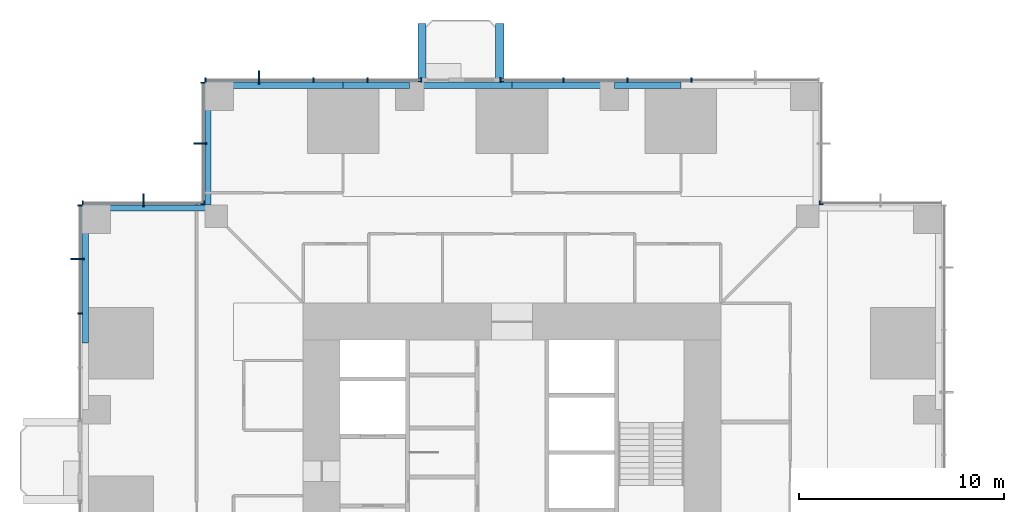
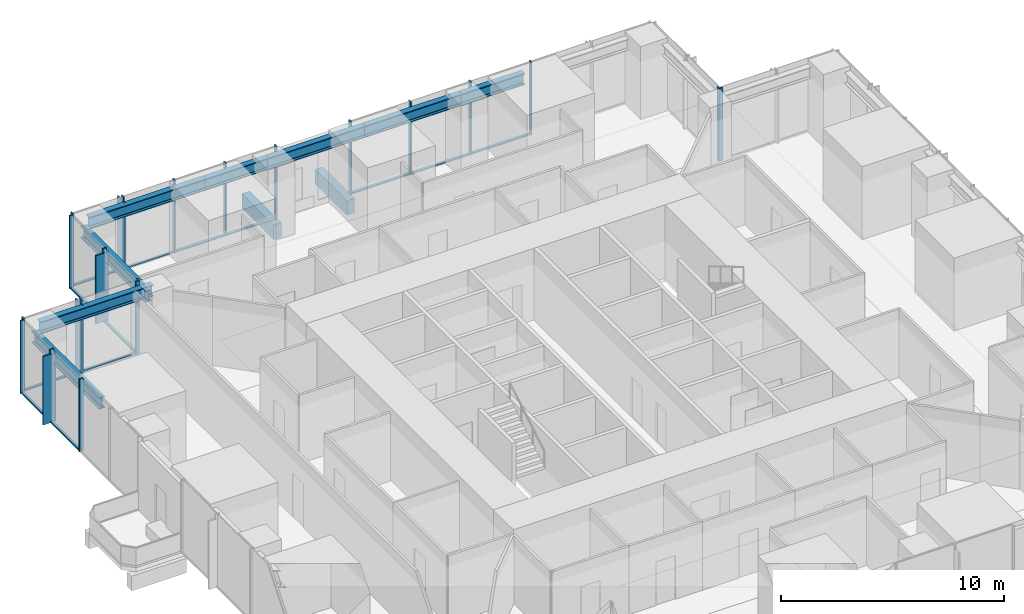
# One storey, part 5 of 15: 37 members, 10 beams, 7 elements without a shape of their own.
"""IFC4 building model written with IfcOpenShell, lengths in metres."""

from ifc_helpers import new_model, si_unit, direction, frame, origin, origin_2d, place, context, subcontext, project, spatial, rectangle, i_section, extrude, material, material_profile, profile_set, type_object, element, aggregate, save


model = new_model("IFC4")

# Units and contexts
model_context = context("Model", 3, precision=1e-05, world=origin(), true_north=direction((0.0, 1.0)))
body_context = subcontext(model_context, "Body", "Model", "MODEL_VIEW")
ifc_project = project(units=[si_unit("LENGTHUNIT", "METRE"), si_unit("AREAUNIT", "SQUARE_METRE"), si_unit("VOLUMEUNIT", "CUBIC_METRE"), si_unit("PLANEANGLEUNIT", "RADIAN"), si_unit("MASSUNIT", "GRAM", prefix="KILO")], contexts=[model_context])

# Site, building, storey
site_placement = place(None, origin())
site = spatial("IfcSite", under=ifc_project, at=site_placement, CompositionType="ELEMENT")
building_placement = place(site_placement, origin())
building = spatial("IfcBuilding", under=site, at=building_placement, Name="Svetlomir Tower", CompositionType="ELEMENT")
storey_placement = place(building_placement, frame((0.0, 0.0, 42.5)))
storey = spatial("IfcBuildingStorey", under=building, at=storey_placement, Name="L09", CompositionType="ELEMENT", Elevation=42.5)

# Beams
ifc_material_1 = material(Name="Concrete C60/75", Category="concrete")
ifc_material_profile_1 = material_profile(ifc_material_1, rectangle(XDim=0.39990234375, YDim=0.800048828125, at=origin_2d()), Name="RC 400x800")
ifc_profile_set_1 = profile_set([ifc_material_profile_1], Name="Concrete C60/75")
beam_type_1 = type_object("IfcBeamType", Name="BALCONY RIB RC 400x800", PredefinedType="BEAM", material=ifc_profile_set_1)
for number, where, z_axis, x_axis, name in (
    (1, (16.60009765625, 42.0, -0.64990234375), (0.0, 1.0, 0.0), (-1.0, 0.0, 0.0), "Balcony rib N 1 L09"),
    (2, (20.39990234375, 42.0, -0.64990234375), (0.0, 1.0, 0.0), (-1.0, 0.0, 0.0), "Balcony rib N 2 L09"),
):
    element("IfcBeam", number, at=place(storey_placement, frame(where, z_axis=z_axis, x_axis=x_axis)), inside=storey, type_object=beam_type_1, Name=name, PredefinedType="BEAM", context=body_context, shape_type="SweptSolid", body=[
        extrude(rectangle(XDim=0.39990234375, YDim=0.800048828125, at=origin_2d()), origin(), (0.0, 0.0, 1.0), 2.85009765625),
    ])

# Curtain wall, member
ifc_material_2 = material(Name="Bronze anodised aluminium curtain wall", Category="aluminium")
curtain_wall_type = type_object("IfcCurtainWallType", Name="CURTAIN WALL CW1 TOWER OFFICE", PredefinedType="NOTDEFINED", material=ifc_material_2)
curtain_wall_1_placement = place(storey_placement, origin())
curtain_wall_1 = element("IfcCurtainWall", 3, at=curtain_wall_1_placement, inside=storey, type_object=curtain_wall_type, Name="Curtain wall CW1 L09", PredefinedType="NOTDEFINED")
ifc_material_3 = material(Name="Bronze anodised aluminium", Category="aluminium")
ifc_material_profile_2 = material_profile(ifc_material_3, rectangle(XDim=0.080078125, YDim=0.64990234375, at=origin_2d()), Name="FIN 80x650")
ifc_profile_set_2 = profile_set([ifc_material_profile_2], Name="Bronze anodised aluminium 6063-T6")
member_type_1 = type_object("IfcMemberType", Name="BRONZE FIN 80x650", PredefinedType="USERDEFINED", material=ifc_profile_set_2)
member_1_placement = place(storey_placement, frame((8.64990234375, 42.22509765625, 0.0), z_axis=(0.0, 0.0, 1.0), x_axis=(1.0, 0.0, 0.0)))
member_1 = element("IfcMember", 4, at=member_1_placement, type_object=member_type_1, Name="Bronze fin L09", ObjectType="FIN", PredefinedType="USERDEFINED", context=body_context, shape_type="SweptSolid", body=[
    extrude(rectangle(XDim=0.080078125, YDim=0.64990234375, at=origin_2d()), origin(), (0.0, 0.0, 1.0), 3.75),
])

curtain_wall_2_placement = place(storey_placement, origin())
curtain_wall_2 = element("IfcCurtainWall", 5, at=curtain_wall_2_placement, inside=storey, type_object=curtain_wall_type, Name="Curtain wall CW1 L09", PredefinedType="NOTDEFINED")
member_2_placement = place(storey_placement, frame((5.77490234375, 39.0, 0.0), z_axis=(0.0, 0.0, 1.0), x_axis=(0.0, 1.0, 0.0)))
member_2 = element("IfcMember", 6, at=member_2_placement, type_object=member_type_1, Name="Bronze fin L09", ObjectType="FIN", PredefinedType="USERDEFINED", context=body_context, shape_type="SweptSolid", body=[
    extrude(rectangle(XDim=0.080078125, YDim=0.64990234375, at=origin_2d()), origin(), (0.0, 0.0, 1.0), 3.75),
])

curtain_wall_3_placement = place(storey_placement, origin())
curtain_wall_3 = element("IfcCurtainWall", 7, at=curtain_wall_3_placement, inside=storey, type_object=curtain_wall_type, Name="Curtain wall CW1 L09", PredefinedType="NOTDEFINED")
member_3_placement = place(storey_placement, frame((3.0, 36.22509765625, 0.0), z_axis=(0.0, 0.0, 1.0), x_axis=(1.0, 0.0, 0.0)))
member_3 = element("IfcMember", 8, at=member_3_placement, type_object=member_type_1, Name="Bronze fin L09", ObjectType="FIN", PredefinedType="USERDEFINED", context=body_context, shape_type="SweptSolid", body=[
    extrude(rectangle(XDim=0.080078125, YDim=0.64990234375, at=origin_2d()), origin(), (0.0, 0.0, 1.0), 3.75),
])

curtain_wall_4_placement = place(storey_placement, origin())
curtain_wall_4 = element("IfcCurtainWall", 9, at=curtain_wall_4_placement, inside=storey, type_object=curtain_wall_type, Name="Curtain wall CW1 L09", PredefinedType="NOTDEFINED")
member_4_placement = place(storey_placement, frame((-0.22509765625, 33.35009765625, 0.0), z_axis=(0.0, 0.0, 1.0), x_axis=(0.0, 1.0, 0.0)))
member_4 = element("IfcMember", 10, at=member_4_placement, type_object=member_type_1, Name="Bronze fin L09", ObjectType="FIN", PredefinedType="USERDEFINED", context=body_context, shape_type="SweptSolid", body=[
    extrude(rectangle(XDim=0.080078125, YDim=0.64990234375, at=origin_2d()), origin(), (0.0, 0.0, 1.0), 3.75),
])

curtain_wall_5_placement = place(storey_placement, origin())
curtain_wall_5 = element("IfcCurtainWall", 11, at=curtain_wall_5_placement, inside=storey, type_object=curtain_wall_type, Name="Curtain wall CW1 L09", PredefinedType="NOTDEFINED")
ifc_material_4 = material(Name="Bronze anodised aluminium", Category="aluminium")
ifc_material_profile_3 = material_profile(ifc_material_4, rectangle(XDim=0.06494140625, YDim=0.199951171875, at=origin_2d()), Name="AL 65x200")
ifc_profile_set_3 = profile_set([ifc_material_profile_3], Name="Bronze anodised aluminium 6063-T6")
member_type_2 = type_object("IfcMemberType", Name="CW1 MULLION 65x200", PredefinedType="MULLION", material=ifc_profile_set_3)
member_5_placement = place(storey_placement, frame((36.032470703125, 36.10009765625, 0.0), z_axis=(0.0, 0.0, 1.0), x_axis=(-1.0, 0.0, 0.0)))
member_5 = element("IfcMember", 12, at=member_5_placement, type_object=member_type_2, Name="CW1 mullion 3", PredefinedType="MULLION", context=body_context, shape_type="SweptSolid", body=[
    extrude(rectangle(XDim=0.06494140625, YDim=0.199951171875, at=origin_2d()), origin(), (0.0, 0.0, 1.0), 4.0),
])
aggregate(curtain_wall_5, [member_5])

curtain_wall_6_placement = place(storey_placement, origin())
curtain_wall_6 = element("IfcCurtainWall", 13, at=curtain_wall_6_placement, inside=storey, type_object=curtain_wall_type, Name="Curtain wall CW1 L09", PredefinedType="NOTDEFINED")
member_6_placement = place(storey_placement, frame((36.10009765625, 36.032470703125, 0.0), z_axis=(0.0, 0.0, 1.0), x_axis=(0.0, 1.0, 0.0)))
member_6 = element("IfcMember", 14, at=member_6_placement, type_object=member_type_2, Name="CW1 mullion 1", PredefinedType="MULLION", context=body_context, shape_type="SweptSolid", body=[
    extrude(rectangle(XDim=0.06494140625, YDim=0.199951171875, at=origin_2d()), origin(), (0.0, 0.0, 1.0), 4.0),
])
aggregate(curtain_wall_6, [member_6])

# Curtain wall, members
curtain_wall_7_placement = place(storey_placement, origin())
curtain_wall_7 = element("IfcCurtainWall", 15, at=curtain_wall_7_placement, inside=storey, type_object=curtain_wall_type, Name="Curtain wall CW1 L09", PredefinedType="NOTDEFINED")
member_7_placement = place(storey_placement, frame((29.760009765625, 42.10009765625, 0.0), z_axis=(0.0, 0.0, 1.0), x_axis=(-1.0, 0.0, 0.0)))
member_7 = element("IfcMember", 16, at=member_7_placement, type_object=member_type_2, Name="CW1 mullion 3", PredefinedType="MULLION", context=body_context, shape_type="SweptSolid", body=[
    extrude(rectangle(XDim=0.06494140625, YDim=0.199951171875, at=origin_2d()), origin(), (0.0, 0.0, 1.0), 4.0),
])
member_8_placement = place(storey_placement, frame((26.639892578125, 42.10009765625, 0.0), z_axis=(0.0, 0.0, 1.0), x_axis=(-1.0, 0.0, 0.0)))
member_8 = element("IfcMember", 17, at=member_8_placement, type_object=member_type_2, Name="CW1 mullion 4", PredefinedType="MULLION", context=body_context, shape_type="SweptSolid", body=[
    extrude(rectangle(XDim=0.06494140625, YDim=0.199951171875, at=origin_2d()), origin(), (0.0, 0.0, 1.0), 4.0),
])
member_9_placement = place(storey_placement, frame((23.52001953125, 42.10009765625, 0.0), z_axis=(0.0, 0.0, 1.0), x_axis=(-1.0, 0.0, 0.0)))
member_9 = element("IfcMember", 18, at=member_9_placement, type_object=member_type_2, Name="CW1 mullion 5", PredefinedType="MULLION", context=body_context, shape_type="SweptSolid", body=[
    extrude(rectangle(XDim=0.06494140625, YDim=0.199951171875, at=origin_2d()), origin(), (0.0, 0.0, 1.0), 4.0),
])
member_10_placement = place(storey_placement, frame((20.4326171875, 42.10009765625, 0.0), z_axis=(0.0, 0.0, 1.0), x_axis=(-1.0, 0.0, 0.0)))
member_10 = element("IfcMember", 19, at=member_10_placement, type_object=member_type_2, Name="CW1 mullion 6", PredefinedType="MULLION", context=body_context, shape_type="SweptSolid", body=[
    extrude(rectangle(XDim=0.06494140625, YDim=0.199951171875, at=origin_2d()), origin(), (0.0, 0.0, 1.0), 4.0),
])

# Member
member_11_placement = place(storey_placement, frame((16.5673828125, 42.10009765625, 0.0), z_axis=(0.0, 0.0, 1.0), x_axis=(-1.0, 0.0, 0.0)))
member_11 = element("IfcMember", 20, at=member_11_placement, type_object=member_type_2, Name="CW1 mullion 1", PredefinedType="MULLION", context=body_context, shape_type="SweptSolid", body=[
    extrude(rectangle(XDim=0.06494140625, YDim=0.199951171875, at=origin_2d()), origin(), (0.0, 0.0, 1.0), 4.0),
])

member_12_placement = place(storey_placement, frame((13.949951171875, 42.10009765625, 0.0), z_axis=(0.0, 0.0, 1.0), x_axis=(-1.0, 0.0, 0.0)))
member_12 = element("IfcMember", 21, at=member_12_placement, type_object=member_type_2, Name="CW1 mullion 2", PredefinedType="MULLION", context=body_context, shape_type="SweptSolid", body=[
    extrude(rectangle(XDim=0.06494140625, YDim=0.199951171875, at=origin_2d()), origin(), (0.0, 0.0, 1.0), 4.0),
])

member_13_placement = place(storey_placement, frame((11.300048828125, 42.10009765625, 0.0), z_axis=(0.0, 0.0, 1.0), x_axis=(-1.0, 0.0, 0.0)))
member_13 = element("IfcMember", 22, at=member_13_placement, type_object=member_type_2, Name="CW1 mullion 3", PredefinedType="MULLION", context=body_context, shape_type="SweptSolid", body=[
    extrude(rectangle(XDim=0.06494140625, YDim=0.199951171875, at=origin_2d()), origin(), (0.0, 0.0, 1.0), 4.0),
])

member_14_placement = place(storey_placement, frame((8.64990234375, 42.10009765625, 0.0), z_axis=(0.0, 0.0, 1.0), x_axis=(-1.0, 0.0, 0.0)))
member_14 = element("IfcMember", 23, at=member_14_placement, type_object=member_type_2, Name="CW1 mullion 4", PredefinedType="MULLION", context=body_context, shape_type="SweptSolid", body=[
    extrude(rectangle(XDim=0.06494140625, YDim=0.199951171875, at=origin_2d()), origin(), (0.0, 0.0, 1.0), 4.0),
])

member_15_placement = place(storey_placement, frame((6.032470703125, 42.10009765625, 0.0), z_axis=(0.0, 0.0, 1.0), x_axis=(-1.0, 0.0, 0.0)))
member_15 = element("IfcMember", 24, at=member_15_placement, type_object=member_type_2, Name="CW1 mullion 5", PredefinedType="MULLION", context=body_context, shape_type="SweptSolid", body=[
    extrude(rectangle(XDim=0.06494140625, YDim=0.199951171875, at=origin_2d()), origin(), (0.0, 0.0, 1.0), 4.0),
])

member_16_placement = place(storey_placement, frame((5.89990234375, 41.967529296875, 0.0), z_axis=(0.0, 0.0, 1.0), x_axis=(0.0, -1.0, 0.0)))
member_16 = element("IfcMember", 25, at=member_16_placement, type_object=member_type_2, Name="CW1 mullion 1", PredefinedType="MULLION", context=body_context, shape_type="SweptSolid", body=[
    extrude(rectangle(XDim=0.06494140625, YDim=0.199951171875, at=origin_2d()), origin(), (0.0, 0.0, 1.0), 4.0),
])

member_17_placement = place(storey_placement, frame((5.89990234375, 39.0, 0.0), z_axis=(0.0, 0.0, 1.0), x_axis=(0.0, -1.0, 0.0)))
member_17 = element("IfcMember", 26, at=member_17_placement, type_object=member_type_2, Name="CW1 mullion 2", PredefinedType="MULLION", context=body_context, shape_type="SweptSolid", body=[
    extrude(rectangle(XDim=0.06494140625, YDim=0.199951171875, at=origin_2d()), origin(), (0.0, 0.0, 1.0), 4.0),
])

member_18_placement = place(storey_placement, frame((5.89990234375, 36.032470703125, 0.0), z_axis=(0.0, 0.0, 1.0), x_axis=(0.0, -1.0, 0.0)))
member_18 = element("IfcMember", 27, at=member_18_placement, type_object=member_type_2, Name="CW1 mullion 3", PredefinedType="MULLION", context=body_context, shape_type="SweptSolid", body=[
    extrude(rectangle(XDim=0.06494140625, YDim=0.199951171875, at=origin_2d()), origin(), (0.0, 0.0, 1.0), 4.0),
])

member_19_placement = place(storey_placement, frame((5.967529296875, 36.10009765625, 0.0), z_axis=(0.0, 0.0, 1.0), x_axis=(-1.0, 0.0, 0.0)))
member_19 = element("IfcMember", 28, at=member_19_placement, type_object=member_type_2, Name="CW1 mullion 1", PredefinedType="MULLION", context=body_context, shape_type="SweptSolid", body=[
    extrude(rectangle(XDim=0.06494140625, YDim=0.199951171875, at=origin_2d()), origin(), (0.0, 0.0, 1.0), 4.0),
])

member_20_placement = place(storey_placement, frame((3.0, 36.10009765625, 0.0), z_axis=(0.0, 0.0, 1.0), x_axis=(-1.0, 0.0, 0.0)))
member_20 = element("IfcMember", 29, at=member_20_placement, type_object=member_type_2, Name="CW1 mullion 2", PredefinedType="MULLION", context=body_context, shape_type="SweptSolid", body=[
    extrude(rectangle(XDim=0.06494140625, YDim=0.199951171875, at=origin_2d()), origin(), (0.0, 0.0, 1.0), 4.0),
])

member_21_placement = place(storey_placement, frame((0.032470703125, 36.10009765625, 0.0), z_axis=(0.0, 0.0, 1.0), x_axis=(-1.0, 0.0, 0.0)))
member_21 = element("IfcMember", 30, at=member_21_placement, type_object=member_type_2, Name="CW1 mullion 3", PredefinedType="MULLION", context=body_context, shape_type="SweptSolid", body=[
    extrude(rectangle(XDim=0.06494140625, YDim=0.199951171875, at=origin_2d()), origin(), (0.0, 0.0, 1.0), 4.0),
])

member_22_placement = place(storey_placement, frame((-0.10009765625, 35.967529296875, 0.0), z_axis=(0.0, 0.0, 1.0), x_axis=(0.0, -1.0, 0.0)))
member_22 = element("IfcMember", 31, at=member_22_placement, type_object=member_type_2, Name="CW1 mullion 1", PredefinedType="MULLION", context=body_context, shape_type="SweptSolid", body=[
    extrude(rectangle(XDim=0.06494140625, YDim=0.199951171875, at=origin_2d()), origin(), (0.0, 0.0, 1.0), 4.0),
])

member_23_placement = place(storey_placement, frame((-0.10009765625, 33.35009765625, 0.0), z_axis=(0.0, 0.0, 1.0), x_axis=(0.0, -1.0, 0.0)))
member_23 = element("IfcMember", 32, at=member_23_placement, type_object=member_type_2, Name="CW1 mullion 2", PredefinedType="MULLION", context=body_context, shape_type="SweptSolid", body=[
    extrude(rectangle(XDim=0.06494140625, YDim=0.199951171875, at=origin_2d()), origin(), (0.0, 0.0, 1.0), 4.0),
])

member_24_placement = place(storey_placement, frame((-0.10009765625, 30.699951171875, 0.0), z_axis=(0.0, 0.0, 1.0), x_axis=(0.0, -1.0, 0.0)))
member_24 = element("IfcMember", 33, at=member_24_placement, type_object=member_type_2, Name="CW1 mullion 3", PredefinedType="MULLION", context=body_context, shape_type="SweptSolid", body=[
    extrude(rectangle(XDim=0.06494140625, YDim=0.199951171875, at=origin_2d()), origin(), (0.0, 0.0, 1.0), 4.0),
])

ifc_material_5 = material(Name="Bronze anodised aluminium", Category="aluminium")
ifc_material_profile_4 = material_profile(ifc_material_5, rectangle(XDim=0.139892578125, YDim=0.06494140625, at=origin_2d()), Name="AL 140x65")
ifc_profile_set_4 = profile_set([ifc_material_profile_4], Name="Bronze anodised aluminium 6063-T6")
member_type_3 = type_object("IfcMemberType", Name="CW1 TRANSOM 65x140", PredefinedType="USERDEFINED", material=ifc_profile_set_4)
member_25_placement = place(storey_placement, frame((29.7275390625, 42.10009765625, 0.032470703125), z_axis=(-1.0, 0.0, 0.0), x_axis=(0.0, -1.0, 0.0)))
member_25 = element("IfcMember", 34, at=member_25_placement, type_object=member_type_3, Name="CW1 transom 3.1", ObjectType="TRANSOM", PredefinedType="USERDEFINED", context=body_context, shape_type="SweptSolid", body=[
    extrude(rectangle(XDim=0.139892578125, YDim=0.06494140625, at=origin_2d()), origin(), (0.0, 0.0, 1.0), 3.054931640625),
])

member_26_placement = place(storey_placement, frame((26.607421875, 42.10009765625, 0.032470703125), z_axis=(-1.0, 0.0, 0.0), x_axis=(0.0, -1.0, 0.0)))
member_26 = element("IfcMember", 35, at=member_26_placement, type_object=member_type_3, Name="CW1 transom 4.1", ObjectType="TRANSOM", PredefinedType="USERDEFINED", context=body_context, shape_type="SweptSolid", body=[
    extrude(rectangle(XDim=0.139892578125, YDim=0.06494140625, at=origin_2d()), origin(), (0.0, 0.0, 1.0), 3.054931640625),
])

member_27_placement = place(storey_placement, frame((23.487548828125, 42.10009765625, 0.032470703125), z_axis=(-1.0, 0.0, 0.0), x_axis=(0.0, -1.0, 0.0)))
member_27 = element("IfcMember", 36, at=member_27_placement, type_object=member_type_3, Name="CW1 transom 5.1", ObjectType="TRANSOM", PredefinedType="USERDEFINED", context=body_context, shape_type="SweptSolid", body=[
    extrude(rectangle(XDim=0.139892578125, YDim=0.06494140625, at=origin_2d()), origin(), (0.0, 0.0, 1.0), 3.0224609375),
])

aggregate(curtain_wall_7, [member_7, member_8, member_9, member_10, member_25, member_26, member_27])

member_28_placement = place(storey_placement, frame((16.534912109375, 42.10009765625, 0.032470703125), z_axis=(-1.0, 0.0, 0.0), x_axis=(0.0, -1.0, 0.0)))
member_28 = element("IfcMember", 37, at=member_28_placement, type_object=member_type_3, Name="CW1 transom 1.1", ObjectType="TRANSOM", PredefinedType="USERDEFINED", context=body_context, shape_type="SweptSolid", body=[
    extrude(rectangle(XDim=0.139892578125, YDim=0.06494140625, at=origin_2d()), origin(), (0.0, 0.0, 1.0), 2.552490234375),
])

member_29_placement = place(storey_placement, frame((13.91748046875, 42.10009765625, 0.032470703125), z_axis=(-1.0, 0.0, 0.0), x_axis=(0.0, -1.0, 0.0)))
member_29 = element("IfcMember", 38, at=member_29_placement, type_object=member_type_3, Name="CW1 transom 2.1", ObjectType="TRANSOM", PredefinedType="USERDEFINED", context=body_context, shape_type="SweptSolid", body=[
    extrude(rectangle(XDim=0.139892578125, YDim=0.06494140625, at=origin_2d()), origin(), (0.0, 0.0, 1.0), 2.5849609375),
])

member_30_placement = place(storey_placement, frame((11.267578125, 42.10009765625, 0.032470703125), z_axis=(-1.0, 0.0, 0.0), x_axis=(0.0, -1.0, 0.0)))
member_30 = element("IfcMember", 39, at=member_30_placement, type_object=member_type_3, Name="CW1 transom 3.1", ObjectType="TRANSOM", PredefinedType="USERDEFINED", context=body_context, shape_type="SweptSolid", body=[
    extrude(rectangle(XDim=0.139892578125, YDim=0.06494140625, at=origin_2d()), origin(), (0.0, 0.0, 1.0), 2.5849609375),
])

member_31_placement = place(storey_placement, frame((8.617431640625, 42.10009765625, 0.032470703125), z_axis=(-1.0, 0.0, 0.0), x_axis=(0.0, -1.0, 0.0)))
member_31 = element("IfcMember", 40, at=member_31_placement, type_object=member_type_3, Name="CW1 transom 4.1", ObjectType="TRANSOM", PredefinedType="USERDEFINED", context=body_context, shape_type="SweptSolid", body=[
    extrude(rectangle(XDim=0.139892578125, YDim=0.06494140625, at=origin_2d()), origin(), (0.0, 0.0, 1.0), 2.552490234375),
])

aggregate(curtain_wall_1, [member_11, member_12, member_13, member_14, member_15, member_28, member_29, member_30, member_31, member_1])

member_32_placement = place(storey_placement, frame((5.89990234375, 41.93505859375, 0.032470703125), z_axis=(0.0, -1.0, 0.0), x_axis=(1.0, 0.0, 0.0)))
member_32 = element("IfcMember", 41, at=member_32_placement, type_object=member_type_3, Name="CW1 transom 1.1", ObjectType="TRANSOM", PredefinedType="USERDEFINED", context=body_context, shape_type="SweptSolid", body=[
    extrude(rectangle(XDim=0.139892578125, YDim=0.06494140625, at=origin_2d()), origin(), (0.0, 0.0, 1.0), 2.902587890625),
])

member_33_placement = place(storey_placement, frame((5.89990234375, 38.967529296875, 0.032470703125), z_axis=(0.0, -1.0, 0.0), x_axis=(1.0, 0.0, 0.0)))
member_33 = element("IfcMember", 42, at=member_33_placement, type_object=member_type_3, Name="CW1 transom 2.1", ObjectType="TRANSOM", PredefinedType="USERDEFINED", context=body_context, shape_type="SweptSolid", body=[
    extrude(rectangle(XDim=0.139892578125, YDim=0.06494140625, at=origin_2d()), origin(), (0.0, 0.0, 1.0), 2.902587890625),
])

aggregate(curtain_wall_2, [member_16, member_17, member_18, member_32, member_33, member_2])

member_34_placement = place(storey_placement, frame((5.93505859375, 36.10009765625, 0.032470703125), z_axis=(-1.0, 0.0, 0.0), x_axis=(0.0, -1.0, 0.0)))
member_34 = element("IfcMember", 43, at=member_34_placement, type_object=member_type_3, Name="CW1 transom 1.1", ObjectType="TRANSOM", PredefinedType="USERDEFINED", context=body_context, shape_type="SweptSolid", body=[
    extrude(rectangle(XDim=0.139892578125, YDim=0.06494140625, at=origin_2d()), origin(), (0.0, 0.0, 1.0), 2.902587890625),
])

member_35_placement = place(storey_placement, frame((2.967529296875, 36.10009765625, 0.032470703125), z_axis=(-1.0, 0.0, 0.0), x_axis=(0.0, -1.0, 0.0)))
member_35 = element("IfcMember", 44, at=member_35_placement, type_object=member_type_3, Name="CW1 transom 2.1", ObjectType="TRANSOM", PredefinedType="USERDEFINED", context=body_context, shape_type="SweptSolid", body=[
    extrude(rectangle(XDim=0.139892578125, YDim=0.06494140625, at=origin_2d()), origin(), (0.0, 0.0, 1.0), 2.902587890625),
])

aggregate(curtain_wall_3, [member_19, member_20, member_21, member_34, member_35, member_3])

member_36_placement = place(storey_placement, frame((-0.10009765625, 35.93505859375, 0.032470703125), z_axis=(0.0, -1.0, 0.0), x_axis=(1.0, 0.0, 0.0)))
member_36 = element("IfcMember", 45, at=member_36_placement, type_object=member_type_3, Name="CW1 transom 1.1", ObjectType="TRANSOM", PredefinedType="USERDEFINED", context=body_context, shape_type="SweptSolid", body=[
    extrude(rectangle(XDim=0.139892578125, YDim=0.06494140625, at=origin_2d()), origin(), (0.0, 0.0, 1.0), 2.552490234375),
])

member_37_placement = place(storey_placement, frame((-0.10009765625, 33.3173828125, 0.032470703125), z_axis=(0.0, -1.0, 0.0), x_axis=(1.0, 0.0, 0.0)))
member_37 = element("IfcMember", 46, at=member_37_placement, type_object=member_type_3, Name="CW1 transom 2.1", ObjectType="TRANSOM", PredefinedType="USERDEFINED", context=body_context, shape_type="SweptSolid", body=[
    extrude(rectangle(XDim=0.139892578125, YDim=0.06494140625, at=origin_2d()), origin(), (0.0, 0.0, 1.0), 2.5849609375),
])

aggregate(curtain_wall_4, [member_22, member_23, member_24, member_36, member_37, member_4])

# Beams
ifc_material_6 = material(Name="Steel S355", Category="steel")
ifc_material_profile_5 = material_profile(ifc_material_6, i_section(OverallWidth=0.304931640625, OverallDepth=0.6201171875, WebThickness=0.02099609375, FlangeThickness=0.0400390625, FilletRadius=0.027099609375, at=origin_2d()), Name="HEM 600")
ifc_profile_set_5 = profile_set([ifc_material_profile_5], Name="Steel S355")
beam_type_2 = type_object("IfcBeamType", Name="EDGE BEAM HEM 600", PredefinedType="SPANDREL", material=ifc_profile_set_5)
beam_1_placement = place(storey_placement, frame((6.699951171875, 41.847412109375, 3.43994140625), z_axis=(1.0, 0.0, 0.0), x_axis=(0.0, 1.0, 0.0)))
element("IfcBeam", 47, at=beam_1_placement, inside=storey, type_object=beam_type_2, Name="Edge beam 6/42 to 11/42 under L10", PredefinedType="SPANDREL", context=body_context, shape_type="SweptSolid", body=[
    extrude(i_section(OverallWidth=0.304931640625, OverallDepth=0.6201171875, WebThickness=0.02099609375, FlangeThickness=0.0400390625, FilletRadius=0.027099609375, at=origin_2d()), origin(), (0.0, 0.0, 1.0), 6.050048828125),
])
beam_2_placement = place(storey_placement, frame((12.75, 41.847412109375, 3.43994140625), z_axis=(1.0, 0.0, 0.0), x_axis=(0.0, 1.0, 0.0)))
element("IfcBeam", 48, at=beam_2_placement, inside=storey, type_object=beam_type_2, Name="Edge beam 11/42 to 16/42 under L10", PredefinedType="SPANDREL", context=body_context, shape_type="SweptSolid", body=[
    extrude(i_section(OverallWidth=0.304931640625, OverallDepth=0.6201171875, WebThickness=0.02099609375, FlangeThickness=0.0400390625, FilletRadius=0.027099609375, at=origin_2d()), origin(), (0.0, 0.0, 1.0), 3.25),
])
for number, where, z_axis, x_axis, name in (
    (49, (16.0, 41.847412109375, 3.43994140625), (1.0, 0.0, 0.0), (0.0, 1.0, 0.0), "Edge beam 16/42 to 21/42 under L10"),
    (50, (21.0, 41.847412109375, 3.43994140625), (1.0, 0.0, 0.0), (0.0, 1.0, 0.0), "Edge beam 21/42 to 26/42 under L10"),
):
    element("IfcBeam", number, at=place(storey_placement, frame(where, z_axis=z_axis, x_axis=x_axis)), inside=storey, type_object=beam_type_2, Name=name, PredefinedType="SPANDREL", context=body_context, shape_type="SweptSolid", body=[
        extrude(i_section(OverallWidth=0.304931640625, OverallDepth=0.6201171875, WebThickness=0.02099609375, FlangeThickness=0.0400390625, FilletRadius=0.027099609375, at=origin_2d()), origin(), (0.0, 0.0, 1.0), 5.0),
    ])
beam_3_placement = place(storey_placement, frame((26.0, 41.847412109375, 3.43994140625), z_axis=(1.0, 0.0, 0.0), x_axis=(0.0, 1.0, 0.0)))
element("IfcBeam", 51, at=beam_3_placement, inside=storey, type_object=beam_type_2, Name="Edge beam 26/42 to 31/42 under L10", PredefinedType="SPANDREL", context=body_context, shape_type="SweptSolid", body=[
    extrude(i_section(OverallWidth=0.304931640625, OverallDepth=0.6201171875, WebThickness=0.02099609375, FlangeThickness=0.0400390625, FilletRadius=0.027099609375, at=origin_2d()), origin(), (0.0, 0.0, 1.0), 3.25),
])
beam_4_placement = place(storey_placement, frame((0.152587890625, 29.25, 3.43994140625), z_axis=(0.0, 1.0, 0.0), x_axis=(-1.0, 0.0, 0.0)))
element("IfcBeam", 52, at=beam_4_placement, inside=storey, type_object=beam_type_2, Name="Edge beam 0/31 to 0/36 under L10", PredefinedType="SPANDREL", context=body_context, shape_type="SweptSolid", body=[
    extrude(i_section(OverallWidth=0.304931640625, OverallDepth=0.6201171875, WebThickness=0.02099609375, FlangeThickness=0.0400390625, FilletRadius=0.027099609375, at=origin_2d()), origin(), (0.0, 0.0, 1.0), 6.050048828125),
])
for number, where, z_axis, x_axis, name in (
    (53, (6.152587890625, 41.300048828125, 3.43994140625), (0.0, -1.0, 0.0), (1.0, 0.0, 0.0), "Edge beam 6/42 to 6/36 under L10"),
    (54, (0.699951171875, 35.847412109375, 3.43994140625), (1.0, 0.0, 0.0), (0.0, 1.0, 0.0), "Edge beam 0/36 to 6/36 under L10"),
):
    element("IfcBeam", number, at=place(storey_placement, frame(where, z_axis=z_axis, x_axis=x_axis)), inside=storey, type_object=beam_type_2, Name=name, PredefinedType="SPANDREL", context=body_context, shape_type="SweptSolid", body=[
        extrude(i_section(OverallWidth=0.304931640625, OverallDepth=0.6201171875, WebThickness=0.02099609375, FlangeThickness=0.0400390625, FilletRadius=0.027099609375, at=origin_2d()), origin(), (0.0, 0.0, 1.0), 5.85009765625),
    ])

save(model, "model.ifc")
